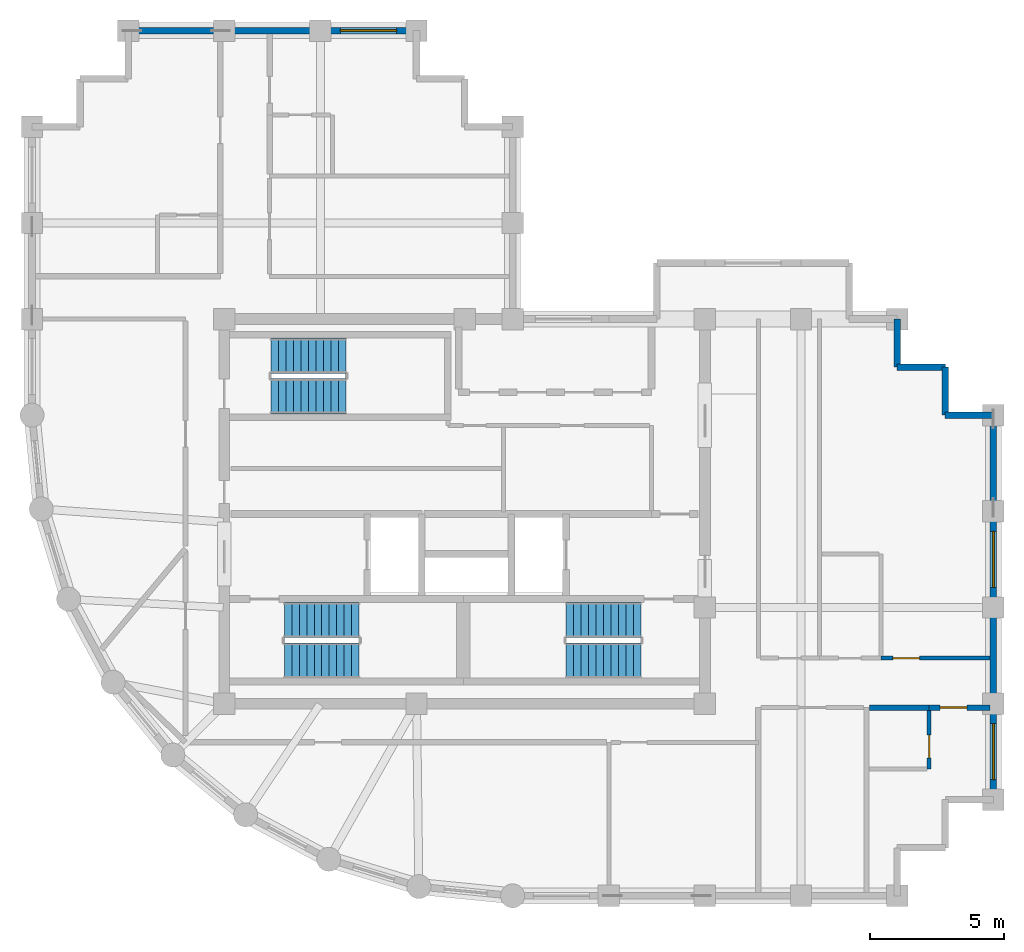
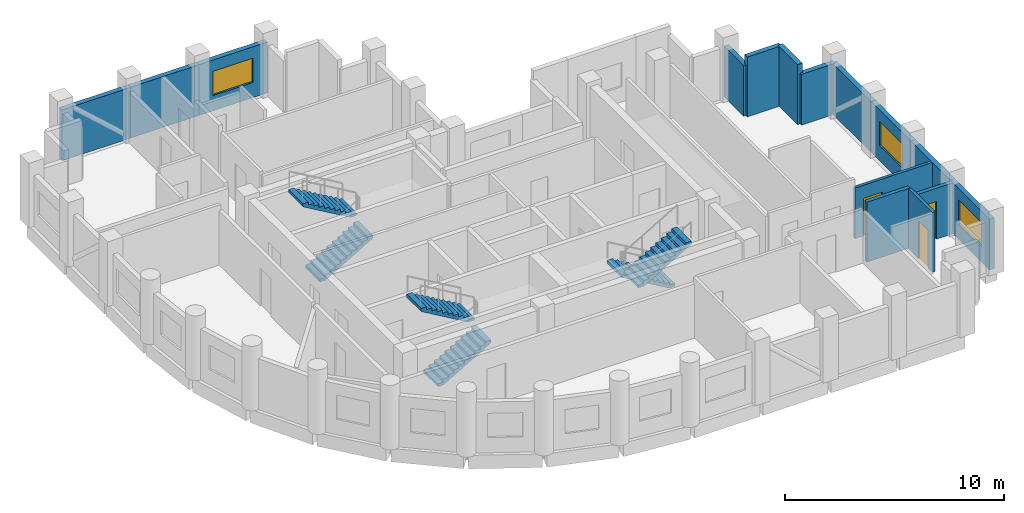
# One storey, part 5 of 6: 15 walls, 6 stair flights, 3 doors, 3 windows, 6 openings, 3 elements without a shape of their own.
"""IFC4 building model written with IfcOpenShell, lengths in metres."""

from ifc_helpers import new_model, si_unit, direction, frame, frame_2d, origin, place, context, subcontext, project, spatial, polyline, rectangle, outline, extrude, material, layer, layer_set, type_object, element, fill, aggregate, save


model = new_model("IFC4")

# Units and contexts
model_context = context("Model", 3, precision=1e-05, world=origin(), true_north=direction((0.0, 1.0)))
body_context = subcontext(model_context, "Body", "Model", "MODEL_VIEW")
ifc_project = project(units=[si_unit("LENGTHUNIT", "METRE"), si_unit("AREAUNIT", "SQUARE_METRE"), si_unit("VOLUMEUNIT", "CUBIC_METRE"), si_unit("PLANEANGLEUNIT", "RADIAN"), si_unit("MASSUNIT", "GRAM", prefix="KILO")], contexts=[model_context])

# Site, building, storey
site_placement = place(None, origin())
site = spatial("IfcSite", under=ifc_project, at=site_placement, CompositionType="ELEMENT")
building_placement = place(site_placement, origin())
building = spatial("IfcBuilding", under=site, at=building_placement, Name="Solnavia Interchange Tower", CompositionType="ELEMENT")
storey_placement = place(building_placement, frame((0.0, 0.0, 255.800048828125)))
storey = spatial("IfcBuildingStorey", under=building, at=storey_placement, Name="L64", CompositionType="ELEMENT", Elevation=255.800048828125)

# Wall
ifc_material_1 = material(Name="Gypsum Acoustic Twin-Stud & Mineral Wool", Category="gypsum")
ifc_layer_1 = layer(ifc_material_1, 0.199951171875)
ifc_layer_set_1 = layer_set([ifc_layer_1], Name="Gypsum Acoustic Twin-Stud & Mineral Wool")
wall_type_1 = type_object("IfcWallType", Name="Wall-ApartmentParty-200", PredefinedType="PARTITIONING", material=ifc_layer_set_1)
wall_1_placement = place(storey_placement, frame((38.553955078125, 10.64990234375, 0.0), z_axis=(0.0, 0.0, 1.0), x_axis=(1.0, 0.0, 0.0)))
element("IfcWall", 1, at=wall_1_placement, inside=storey, type_object=wall_type_1, Name="PTW-L64-18 Interior partition wall", PredefinedType="PARTITIONING", context=body_context, shape_type="SweptSolid", body=[
    extrude(rectangle(XDim=2.24609375, YDim=0.199951171875, at=frame_2d((1.123046875, 0.0))), origin(), (0.0, 0.0, 1.0), 3.3349609375),
])

# Wall, opening, door
wall_2_placement = place(storey_placement, frame((40.800048828125, 10.64990234375, 0.0), z_axis=(0.0, 0.0, 1.0), x_axis=(1.0, 0.0, 0.0)))
wall_2 = element("IfcWall", 2, at=wall_2_placement, inside=storey, type_object=wall_type_1, Name="PTW-L64-19 Interior partition wall", PredefinedType="PARTITIONING", context=body_context, shape_type="SweptSolid", body=[
    extrude(rectangle(XDim=2.27099609375, YDim=0.199951171875, at=frame_2d((1.135498046875, 0.0))), origin(), (0.0, 0.0, 1.0), 2.829833984375),
])
opening_1_placement = place(wall_2_placement, frame((0.412109375, 0.0, 0.0)))
opening_1 = element("IfcOpeningElement", 3, at=opening_1_placement, cuts=wall_2, Name="Opening DR-06", PredefinedType="OPENING", context=body_context, shape_type="SweptSolid", body=[
    extrude(rectangle(XDim=1.0, YDim=2.10009765625, at=frame_2d((0.5, 1.050048828125))), frame((0.0, 0.10986328125, 0.0), z_axis=(0.0, -1.0, 0.0), x_axis=(1.0, 0.0, 0.0)), (0.0, 0.0, 1.0), 0.219970703125),
])
ifc_material_2 = material(Name="Engineered Timber Acoustic Fire Door", Category="wood")
door_type_1 = type_object("IfcDoorType", Name="Door-FlatEntry-1000x2100", OperationType="SINGLE_SWING_LEFT", PredefinedType="DOOR", material=ifc_material_2)
door_1_placement = place(opening_1_placement, origin())
door_1 = element("IfcDoor", 4, at=door_1_placement, inside=storey, type_object=door_type_1, Name="DR-L64-08 Interior room door", OperationType="SINGLE_SWING_LEFT", OverallHeight=2.10009765625, OverallWidth=1.0, PredefinedType="DOOR", context=body_context, shape_type="SweptSolid", body=[
    extrude(rectangle(XDim=1.0, YDim=2.10009765625, at=frame_2d((0.5, 1.050048828125))), frame((0.0, 0.02490234375, 0.0), z_axis=(0.0, -1.0, 0.0), x_axis=(1.0, 0.0, 0.0)), (0.0, 0.0, 1.0), 0.050048828125),
])
fill(opening_1, door_1)

# Wall, opening, window
ifc_material_3 = material(Name="Concrete C40/50", Category="concrete")
ifc_layer_2 = layer(ifc_material_3, 0.25)
ifc_layer_set_2 = layer_set([ifc_layer_2], Name="Concrete C40/50")
wall_type_2 = type_object("IfcWallType", Name="Wall-ExtSpandrel-250", PredefinedType="STANDARD", material=ifc_layer_set_2)
wall_3_placement = place(storey_placement, frame((43.199951171875, 10.800048828125, 0.0), z_axis=(0.0, 0.0, 1.0), x_axis=(0.0, -1.0, 0.0)))
wall_3 = element("IfcWall", 5, at=wall_3_placement, inside=storey, type_object=wall_type_2, Name="EXW-L64-09 Exterior precast spandrel wall", PredefinedType="STANDARD", context=body_context, shape_type="SweptSolid", body=[
    extrude(rectangle(XDim=3.60009765625, YDim=0.25, at=frame_2d((1.800048828125, 0.0))), origin(), (0.0, 0.0, 1.0), 2.829833984375),
])
opening_2_placement = place(wall_3_placement, frame((0.75, 0.0, 0.85009765625)))
opening_2 = element("IfcOpeningElement", 6, at=opening_2_placement, cuts=wall_3, Name="Opening WIN-01", PredefinedType="OPENING", context=body_context, shape_type="SweptSolid", body=[
    extrude(rectangle(XDim=2.10009765625, YDim=1.35009765625, at=frame_2d((1.050048828125, 0.675048828125))), frame((0.0, 0.135009765625, 0.0), z_axis=(0.0, -1.0, 0.0), x_axis=(1.0, 0.0, 0.0)), (0.0, 0.0, 1.0), 0.27001953125),
])
ifc_material_4 = material(Name="Thermal-Break Aluminium & Low-E Glass", Category="aluminium")
window_type = type_object("IfcWindowType", Name="Window-Ribbon-2100x1350", PartitioningType="SINGLE_PANEL", PredefinedType="WINDOW", material=ifc_material_4)
window_1_placement = place(opening_2_placement, origin())
window_1 = element("IfcWindow", 7, at=window_1_placement, inside=storey, type_object=window_type, Name="WIN-L64-09 Facade ribbon window", OverallHeight=1.35009765625, OverallWidth=2.10009765625, PartitioningType="SINGLE_PANEL", PredefinedType="WINDOW", context=body_context, shape_type="SweptSolid", body=[
    extrude(rectangle(XDim=2.10009765625, YDim=1.35009765625, at=frame_2d((1.050048828125, 0.675048828125))), frame((0.0, 0.030029296875, 0.0), z_axis=(0.0, -1.0, 0.0), x_axis=(1.0, 0.0, 0.0)), (0.0, 0.0, 1.0), 0.06005859375),
])
fill(opening_2, window_1)

# Wall
wall_4_placement = place(storey_placement, frame((43.199951171875, 14.39990234375, 0.0), z_axis=(0.0, 0.0, 1.0), x_axis=(0.0, -1.0, 0.0)))
element("IfcWall", 8, at=wall_4_placement, inside=storey, type_object=wall_type_2, Name="EXW-L64-10 Exterior precast spandrel wall", PredefinedType="STANDARD", context=body_context, shape_type="SweptSolid", body=[
    extrude(rectangle(XDim=3.599853515625, YDim=0.25, at=frame_2d((1.7998046875, 0.0))), origin(), (0.0, 0.0, 1.0), 2.829833984375),
])

# Wall, opening, window
wall_5_placement = place(storey_placement, frame((43.199951171875, 18.0, 0.0), z_axis=(0.0, 0.0, 1.0), x_axis=(0.0, -1.0, 0.0)))
wall_5 = element("IfcWall", 9, at=wall_5_placement, inside=storey, type_object=wall_type_2, Name="EXW-L64-11 Exterior precast spandrel wall", PredefinedType="STANDARD", context=body_context, shape_type="SweptSolid", body=[
    extrude(rectangle(XDim=3.60009765625, YDim=0.25, at=frame_2d((1.800048828125, 0.0))), origin(), (0.0, 0.0, 1.0), 2.829833984375),
])
opening_3_placement = place(wall_5_placement, frame((0.75, 0.0, 0.85009765625)))
opening_3 = element("IfcOpeningElement", 10, at=opening_3_placement, cuts=wall_5, Name="Opening WIN-01", PredefinedType="OPENING", context=body_context, shape_type="SweptSolid", body=[
    extrude(rectangle(XDim=2.10009765625, YDim=1.35009765625, at=frame_2d((1.050048828125, 0.675048828125))), frame((0.0, 0.135009765625, 0.0), z_axis=(0.0, -1.0, 0.0), x_axis=(1.0, 0.0, 0.0)), (0.0, 0.0, 1.0), 0.27001953125),
])
window_2_placement = place(opening_3_placement, origin())
window_2 = element("IfcWindow", 11, at=window_2_placement, inside=storey, type_object=window_type, Name="WIN-L64-11 Facade ribbon window", OverallHeight=1.35009765625, OverallWidth=2.10009765625, PartitioningType="SINGLE_PANEL", PredefinedType="WINDOW", context=body_context, shape_type="SweptSolid", body=[
    extrude(rectangle(XDim=2.10009765625, YDim=1.35009765625, at=frame_2d((1.050048828125, 0.675048828125))), frame((0.0, 0.030029296875, 0.0), z_axis=(0.0, -1.0, 0.0), x_axis=(1.0, 0.0, 0.0)), (0.0, 0.0, 1.0), 0.06005859375),
])
fill(opening_3, window_2)

# Walls
wall_6_placement = place(storey_placement, frame((43.199951171875, 21.60009765625, 0.0), z_axis=(0.0, 0.0, 1.0), x_axis=(0.0, -1.0, 0.0)))
element("IfcWall", 12, at=wall_6_placement, inside=storey, type_object=wall_type_2, Name="EXW-L64-12 Exterior precast spandrel wall", PredefinedType="STANDARD", context=body_context, shape_type="SweptSolid", body=[
    extrude(rectangle(XDim=3.60009765625, YDim=0.25, at=frame_2d((1.800048828125, 0.0))), origin(), (0.0, 0.0, 1.0), 2.829833984375),
])
wall_7_placement = place(storey_placement, frame((41.39990234375, 21.60009765625, 0.0), z_axis=(0.0, 0.0, 1.0), x_axis=(1.0, 0.0, 0.0)))
element("IfcWall", 13, at=wall_7_placement, inside=storey, type_object=wall_type_2, Name="EXW-L64-13 Exterior precast spandrel wall", PredefinedType="STANDARD", context=body_context, shape_type="SweptSolid", body=[
    extrude(rectangle(XDim=1.800048828125, YDim=0.25, at=frame_2d((0.89990234375, 0.0))), origin(), (0.0, 0.0, 1.0), 2.829833984375),
])
for number, where, z_axis, x_axis, name in (
    (14, (41.39990234375, 23.39990234375, 0.0), (0.0, 0.0, 1.0), (0.0, -1.0, 0.0), "EXW-L64-14 Exterior precast spandrel wall"),
    (15, (39.60009765625, 23.39990234375, 0.0), (0.0, 0.0, 1.0), (1.0, 0.0, 0.0), "EXW-L64-15 Exterior precast spandrel wall"),
):
    element("IfcWall", number, at=place(storey_placement, frame(where, z_axis=z_axis, x_axis=x_axis)), inside=storey, type_object=wall_type_2, Name=name, PredefinedType="STANDARD", context=body_context, shape_type="SweptSolid", body=[
        extrude(rectangle(XDim=1.7998046875, YDim=0.25, at=frame_2d((0.89990234375, 0.0))), origin(), (0.0, 0.0, 1.0), 3.3349609375),
    ])
wall_8_placement = place(storey_placement, frame((39.60009765625, 25.199951171875, 0.0), z_axis=(0.0, 0.0, 1.0), x_axis=(0.0, -1.0, 0.0)))
element("IfcWall", 16, at=wall_8_placement, inside=storey, type_object=wall_type_2, Name="EXW-L64-16 Exterior precast spandrel wall", PredefinedType="STANDARD", context=body_context, shape_type="SweptSolid", body=[
    extrude(rectangle(XDim=1.800048828125, YDim=0.25, at=frame_2d((0.89990234375, 0.0))), origin(), (0.0, 0.0, 1.0), 2.829833984375),
])

# Wall, opening, window
wall_9_placement = place(storey_placement, frame((18.0, 36.0, 0.0), z_axis=(0.0, 0.0, 1.0), x_axis=(1.0, 0.0, 0.0)))
wall_9 = element("IfcWall", 17, at=wall_9_placement, inside=storey, type_object=wall_type_2, Name="EXW-L64-31 Exterior precast spandrel wall", PredefinedType="STANDARD", context=body_context, shape_type="SweptSolid", body=[
    extrude(rectangle(XDim=3.60009765625, YDim=0.25, at=frame_2d((1.800048828125, 0.0))), origin(), (0.0, 0.0, 1.0), 2.829833984375),
])
opening_4_placement = place(wall_9_placement, frame((0.75, 0.0, 0.85009765625)))
opening_4 = element("IfcOpeningElement", 18, at=opening_4_placement, cuts=wall_9, Name="Opening WIN-01", PredefinedType="OPENING", context=body_context, shape_type="SweptSolid", body=[
    extrude(rectangle(XDim=2.10009765625, YDim=1.35009765625, at=frame_2d((1.050048828125, 0.675048828125))), frame((0.0, 0.135009765625, 0.0), z_axis=(0.0, -1.0, 0.0), x_axis=(1.0, 0.0, 0.0)), (0.0, 0.0, 1.0), 0.27001953125),
])
window_3_placement = place(opening_4_placement, origin())
window_3 = element("IfcWindow", 19, at=window_3_placement, inside=storey, type_object=window_type, Name="WIN-L64-31 Facade ribbon window", OverallHeight=1.35009765625, OverallWidth=2.10009765625, PartitioningType="SINGLE_PANEL", PredefinedType="WINDOW", context=body_context, shape_type="SweptSolid", body=[
    extrude(rectangle(XDim=2.10009765625, YDim=1.35009765625, at=frame_2d((1.050048828125, 0.675048828125))), frame((0.0, 0.030029296875, 0.0), z_axis=(0.0, -1.0, 0.0), x_axis=(1.0, 0.0, 0.0)), (0.0, 0.0, 1.0), 0.06005859375),
])
fill(opening_4, window_3)

# Walls
wall_10_placement = place(storey_placement, frame((14.39990234375, 36.0, 0.0), z_axis=(0.0, 0.0, 1.0), x_axis=(1.0, 0.0, 0.0)))
element("IfcWall", 20, at=wall_10_placement, inside=storey, type_object=wall_type_2, Name="EXW-L64-32 Exterior precast spandrel wall", PredefinedType="STANDARD", context=body_context, shape_type="SweptSolid", body=[
    extrude(rectangle(XDim=3.60009765625, YDim=0.25, at=frame_2d((1.800048828125, 0.0))), origin(), (0.0, 0.0, 1.0), 2.829833984375),
])
wall_11_placement = place(storey_placement, frame((10.800048828125, 36.0, 0.0), z_axis=(0.0, 0.0, 1.0), x_axis=(1.0, 0.0, 0.0)))
element("IfcWall", 21, at=wall_11_placement, inside=storey, type_object=wall_type_2, Name="EXW-L64-33 Exterior precast spandrel wall", PredefinedType="STANDARD", context=body_context, shape_type="SweptSolid", body=[
    extrude(rectangle(XDim=3.599853515625, YDim=0.25, at=frame_2d((1.7998046875, 0.0))), origin(), (0.0, 0.0, 1.0), 2.829833984375),
])

# Wall, opening, door
ifc_material_5 = material(Name="Gypsum Plasterboard & Steel Stud", Category="steel")
ifc_layer_3 = layer(ifc_material_5, 0.14990234375)
ifc_layer_set_3 = layer_set([ifc_layer_3], Name="Gypsum Plasterboard & Steel Stud")
wall_type_3 = type_object("IfcWallType", Name="Wall-Partition-150", PredefinedType="PARTITIONING", material=ifc_layer_set_3)
wall_12_placement = place(storey_placement, frame((39.0, 12.5, 0.0), z_axis=(0.0, 0.0, 1.0), x_axis=(1.0, 0.0, 0.0)))
wall_12 = element("IfcWall", 22, at=wall_12_placement, inside=storey, type_object=wall_type_3, Name="PTW-L64-22 Interior partition wall", PredefinedType="PARTITIONING", context=body_context, shape_type="SweptSolid", body=[
    extrude(rectangle(XDim=4.071044921875, YDim=0.14990234375, at=frame_2d((2.03564453125, 0.0))), origin(), (0.0, 0.0, 1.0), 2.829833984375),
])
opening_5_placement = place(wall_12_placement, frame((0.43798828125, 0.0, 0.0)))
opening_5 = element("IfcOpeningElement", 23, at=opening_5_placement, cuts=wall_12, Name="Opening DR-07", PredefinedType="OPENING", context=body_context, shape_type="SweptSolid", body=[
    extrude(rectangle(XDim=1.0, YDim=2.10009765625, at=frame_2d((0.5, 1.050048828125))), frame((0.0, 0.0849609375, 0.0), z_axis=(0.0, -1.0, 0.0), x_axis=(1.0, 0.0, 0.0)), (0.0, 0.0, 1.0), 0.169921875),
])
ifc_material_6 = material(Name="Timber & Acoustic Glazed Office Door", Category="wood")
door_type_2 = type_object("IfcDoorType", Name="Door-Office-1000x2100", OperationType="SINGLE_SWING_RIGHT", PredefinedType="DOOR", material=ifc_material_6)
door_2_placement = place(opening_5_placement, origin())
door_2 = element("IfcDoor", 24, at=door_2_placement, inside=storey, type_object=door_type_2, Name="DR-L64-10 Interior room door", OperationType="SINGLE_SWING_RIGHT", OverallHeight=2.10009765625, OverallWidth=1.0, PredefinedType="DOOR", context=body_context, shape_type="SweptSolid", body=[
    extrude(rectangle(XDim=1.0, YDim=2.10009765625, at=frame_2d((0.5, 1.050048828125))), frame((0.0, 0.02490234375, 0.0), z_axis=(0.0, -1.0, 0.0), x_axis=(1.0, 0.0, 0.0)), (0.0, 0.0, 1.0), 0.050048828125),
])
fill(opening_5, door_2)

ifc_material_7 = material(Name="Moisture-Resistant Gypsum & Steel Stud", Category="steel")
ifc_layer_4 = layer(ifc_material_7, 0.14990234375)
ifc_layer_set_4 = layer_set([ifc_layer_4], Name="Moisture-Resistant Gypsum & Steel Stud")
wall_type_4 = type_object("IfcWallType", Name="Wall-WetRoom-150", PredefinedType="PARTITIONING", material=ifc_layer_set_4)
wall_13_placement = place(storey_placement, frame((40.800048828125, 8.35009765625, 0.0), z_axis=(0.0, 0.0, 1.0), x_axis=(0.0, 1.0, 0.0)))
wall_13 = element("IfcWall", 25, at=wall_13_placement, inside=storey, type_object=wall_type_4, Name="PTW-L64-20 Interior partition wall", PredefinedType="PARTITIONING", context=body_context, shape_type="SweptSolid", body=[
    extrude(rectangle(XDim=2.19580078125, YDim=0.14990234375, at=frame_2d((1.097900390625, 0.0))), origin(), (0.0, 0.0, 1.0), 3.3349609375),
])
opening_6_placement = place(wall_13_placement, frame((0.416015625, 0.0, 0.0)))
opening_6 = element("IfcOpeningElement", 26, at=opening_6_placement, cuts=wall_13, Name="Opening DR-10", PredefinedType="OPENING", context=body_context, shape_type="SweptSolid", body=[
    extrude(rectangle(XDim=0.85009765625, YDim=2.10009765625, at=frame_2d((0.425048828125, 1.050048828125))), frame((0.0, 0.0849609375, 0.0), z_axis=(0.0, -1.0, 0.0), x_axis=(1.0, 0.0, 0.0)), (0.0, 0.0, 1.0), 0.169921875),
])
ifc_material_8 = material(Name="Moisture-Resistant Timber Door", Category="wood")
door_type_3 = type_object("IfcDoorType", Name="Door-Bathroom-850x2100", OperationType="SINGLE_SWING_RIGHT", PredefinedType="DOOR", material=ifc_material_8)
door_3_placement = place(opening_6_placement, origin())
door_3 = element("IfcDoor", 27, at=door_3_placement, inside=storey, type_object=door_type_3, Name="DR-L64-09 Interior room door", OperationType="SINGLE_SWING_RIGHT", OverallHeight=2.10009765625, OverallWidth=0.85009765625, PredefinedType="DOOR", context=body_context, shape_type="SweptSolid", body=[
    extrude(rectangle(XDim=0.85009765625, YDim=2.10009765625, at=frame_2d((0.425048828125, 1.050048828125))), frame((0.0, 0.02490234375, 0.0), z_axis=(0.0, -1.0, 0.0), x_axis=(1.0, 0.0, 0.0)), (0.0, 0.0, 1.0), 0.050048828125),
])
fill(opening_6, door_3)

# Stair, stair flights
stair_type = type_object("IfcStairType", Name="Stair-Dogleg-RC", PredefinedType="HALF_TURN_STAIR", material=ifc_material_3)
stair_1_placement = place(storey_placement, origin())
stair_1 = element("IfcStair", 28, at=stair_1_placement, inside=storey, type_object=stair_type, Name="L64 Core exit stair 1", PredefinedType="HALF_TURN_STAIR")
stair_flight_type = type_object("IfcStairFlightType", Name="StairFlight-RC-150", PredefinedType="STRAIGHT", material=ifc_material_3)
stair_flight_1_placement = place(storey_placement, frame((16.64990234375, 12.409912109375, 0.0), z_axis=(0.0, 0.0, 1.0), x_axis=(1.0, 0.0, 0.0)))
stair_flight_1 = element("IfcStairFlight", 29, at=stair_flight_1_placement, type_object=stair_flight_type, Name="ST-1 flight 1", NumberOfRisers=11, NumberOfTreads=10, PredefinedType="STRAIGHT", RiserHeight=0.163636364, TreadLength=0.28, context=body_context, shape_type="SweptSolid", body=[
    extrude(outline(polyline([(0.0, 0.0), (0.0, 0.16357421875), (0.280029296875, 0.16357421875), (0.280029296875, 0.327392578125), (0.56005859375, 0.327392578125), (0.56005859375, 0.490966796875), (0.840087890625, 0.490966796875), (0.840087890625, 0.654541015625), (1.1201171875, 0.654541015625), (1.1201171875, 0.818115234375), (1.39990234375, 0.818115234375), (1.39990234375, 0.98193359375), (1.679931640625, 0.98193359375), (1.679931640625, 1.1455078125), (1.9599609375, 1.1455078125), (1.9599609375, 1.30908203125), (2.239990234375, 1.30908203125), (2.239990234375, 1.47265625), (2.52001953125, 1.47265625), (2.52001953125, 1.636474609375), (2.800048828125, 1.636474609375), (2.800048828125, 1.800048828125), (2.800048828125, 1.462646484375), (0.297119140625, 0.0), (0.0, 0.0)])), frame((0.0, 0.66015625, 0.0), z_axis=(0.0, -1.0, 0.0), x_axis=(1.0, 0.0, 0.0)), (0.0, 0.0, 1.0), 1.320068359375),
])
stair_flight_2_placement = place(storey_placement, frame((19.449951171875, 13.929931640625, 1.800048828125), z_axis=(0.0, 0.0, 1.0), x_axis=(-1.0, 0.0, 0.0)))
stair_flight_2 = element("IfcStairFlight", 30, at=stair_flight_2_placement, type_object=stair_flight_type, Name="ST-1 flight 2", NumberOfRisers=11, NumberOfTreads=10, PredefinedType="STRAIGHT", RiserHeight=0.163636364, TreadLength=0.28, context=body_context, shape_type="SweptSolid", body=[
    extrude(outline(polyline([(0.0, 0.0), (0.0, 0.16357421875), (0.280029296875, 0.16357421875), (0.280029296875, 0.327392578125), (0.56005859375, 0.327392578125), (0.56005859375, 0.490966796875), (0.840087890625, 0.490966796875), (0.840087890625, 0.654541015625), (1.1201171875, 0.654541015625), (1.1201171875, 0.818115234375), (1.39990234375, 0.818115234375), (1.39990234375, 0.98193359375), (1.679931640625, 0.98193359375), (1.679931640625, 1.1455078125), (1.9599609375, 1.1455078125), (1.9599609375, 1.30908203125), (2.239990234375, 1.30908203125), (2.239990234375, 1.47265625), (2.52001953125, 1.47265625), (2.52001953125, 1.636474609375), (2.800048828125, 1.636474609375), (2.800048828125, 1.800048828125), (2.800048828125, 1.462646484375), (0.297119140625, 0.0), (0.0, 0.0)])), frame((0.0, 0.66015625, 0.0), z_axis=(0.0, -1.0, 0.0), x_axis=(1.0, 0.0, 0.0)), (0.0, 0.0, 1.0), 1.320068359375),
])
aggregate(stair_1, [stair_flight_1, stair_flight_2])

stair_2_placement = place(storey_placement, origin())
stair_2 = element("IfcStair", 31, at=stair_2_placement, inside=storey, type_object=stair_type, Name="L64 Core exit stair 2", PredefinedType="HALF_TURN_STAIR")
stair_flight_3_placement = place(storey_placement, frame((30.0, 13.929931640625, 0.0), z_axis=(0.0, 0.0, 1.0), x_axis=(-1.0, 0.0, 0.0)))
stair_flight_3 = element("IfcStairFlight", 32, at=stair_flight_3_placement, type_object=stair_flight_type, Name="ST-2 flight 1", NumberOfRisers=11, NumberOfTreads=10, PredefinedType="STRAIGHT", RiserHeight=0.163636364, TreadLength=0.28, context=body_context, shape_type="SweptSolid", body=[
    extrude(outline(polyline([(0.0, 0.0), (0.0, 0.16357421875), (0.280029296875, 0.16357421875), (0.280029296875, 0.327392578125), (0.56005859375, 0.327392578125), (0.56005859375, 0.490966796875), (0.840087890625, 0.490966796875), (0.840087890625, 0.654541015625), (1.1201171875, 0.654541015625), (1.1201171875, 0.818115234375), (1.39990234375, 0.818115234375), (1.39990234375, 0.98193359375), (1.679931640625, 0.98193359375), (1.679931640625, 1.1455078125), (1.9599609375, 1.1455078125), (1.9599609375, 1.30908203125), (2.239990234375, 1.30908203125), (2.239990234375, 1.47265625), (2.52001953125, 1.47265625), (2.52001953125, 1.636474609375), (2.800048828125, 1.636474609375), (2.800048828125, 1.800048828125), (2.800048828125, 1.462646484375), (0.297119140625, 0.0), (0.0, 0.0)])), frame((0.0, 0.66015625, 0.0), z_axis=(0.0, -1.0, 0.0), x_axis=(1.0, 0.0, 0.0)), (0.0, 0.0, 1.0), 1.320068359375),
])
stair_flight_4_placement = place(storey_placement, frame((27.199951171875, 12.409912109375, 1.800048828125), z_axis=(0.0, 0.0, 1.0), x_axis=(1.0, 0.0, 0.0)))
stair_flight_4 = element("IfcStairFlight", 33, at=stair_flight_4_placement, type_object=stair_flight_type, Name="ST-2 flight 2", NumberOfRisers=11, NumberOfTreads=10, PredefinedType="STRAIGHT", RiserHeight=0.163636364, TreadLength=0.28, context=body_context, shape_type="SweptSolid", body=[
    extrude(outline(polyline([(0.0, 0.0), (0.0, 0.16357421875), (0.280029296875, 0.16357421875), (0.280029296875, 0.327392578125), (0.56005859375, 0.327392578125), (0.56005859375, 0.490966796875), (0.840087890625, 0.490966796875), (0.840087890625, 0.654541015625), (1.1201171875, 0.654541015625), (1.1201171875, 0.818115234375), (1.39990234375, 0.818115234375), (1.39990234375, 0.98193359375), (1.679931640625, 0.98193359375), (1.679931640625, 1.1455078125), (1.9599609375, 1.1455078125), (1.9599609375, 1.30908203125), (2.239990234375, 1.30908203125), (2.239990234375, 1.47265625), (2.52001953125, 1.47265625), (2.52001953125, 1.636474609375), (2.800048828125, 1.636474609375), (2.800048828125, 1.800048828125), (2.800048828125, 1.462646484375), (0.297119140625, 0.0), (0.0, 0.0)])), frame((0.0, 0.66015625, 0.0), z_axis=(0.0, -1.0, 0.0), x_axis=(1.0, 0.0, 0.0)), (0.0, 0.0, 1.0), 1.320068359375),
])
aggregate(stair_2, [stair_flight_3, stair_flight_4])

stair_3_placement = place(storey_placement, origin())
stair_3 = element("IfcStair", 34, at=stair_3_placement, inside=storey, type_object=stair_type, Name="L64 Core exit stair 3", PredefinedType="HALF_TURN_STAIR")
stair_flight_5_placement = place(storey_placement, frame((16.14990234375, 22.31005859375, 0.0), z_axis=(0.0, 0.0, 1.0), x_axis=(1.0, 0.0, 0.0)))
stair_flight_5 = element("IfcStairFlight", 35, at=stair_flight_5_placement, type_object=stair_flight_type, Name="ST-3 flight 1", NumberOfRisers=11, NumberOfTreads=10, PredefinedType="STRAIGHT", RiserHeight=0.163636364, TreadLength=0.28, context=body_context, shape_type="SweptSolid", body=[
    extrude(outline(polyline([(0.0, 0.0), (0.0, 0.16357421875), (0.280029296875, 0.16357421875), (0.280029296875, 0.327392578125), (0.56005859375, 0.327392578125), (0.56005859375, 0.490966796875), (0.840087890625, 0.490966796875), (0.840087890625, 0.654541015625), (1.1201171875, 0.654541015625), (1.1201171875, 0.818115234375), (1.39990234375, 0.818115234375), (1.39990234375, 0.98193359375), (1.679931640625, 0.98193359375), (1.679931640625, 1.1455078125), (1.9599609375, 1.1455078125), (1.9599609375, 1.30908203125), (2.239990234375, 1.30908203125), (2.239990234375, 1.47265625), (2.52001953125, 1.47265625), (2.52001953125, 1.636474609375), (2.800048828125, 1.636474609375), (2.800048828125, 1.800048828125), (2.800048828125, 1.462646484375), (0.297119140625, 0.0), (0.0, 0.0)])), frame((0.0, 0.66015625, 0.0), z_axis=(0.0, -1.0, 0.0), x_axis=(1.0, 0.0, 0.0)), (0.0, 0.0, 1.0), 1.320068359375),
])
stair_flight_6_placement = place(storey_placement, frame((18.949951171875, 23.830078125, 1.800048828125), z_axis=(0.0, 0.0, 1.0), x_axis=(-1.0, 0.0, 0.0)))
stair_flight_6 = element("IfcStairFlight", 36, at=stair_flight_6_placement, type_object=stair_flight_type, Name="ST-3 flight 2", NumberOfRisers=11, NumberOfTreads=10, PredefinedType="STRAIGHT", RiserHeight=0.163636364, TreadLength=0.28, context=body_context, shape_type="SweptSolid", body=[
    extrude(outline(polyline([(0.0, 0.0), (0.0, 0.16357421875), (0.280029296875, 0.16357421875), (0.280029296875, 0.327392578125), (0.56005859375, 0.327392578125), (0.56005859375, 0.490966796875), (0.840087890625, 0.490966796875), (0.840087890625, 0.654541015625), (1.1201171875, 0.654541015625), (1.1201171875, 0.818115234375), (1.39990234375, 0.818115234375), (1.39990234375, 0.98193359375), (1.679931640625, 0.98193359375), (1.679931640625, 1.1455078125), (1.9599609375, 1.1455078125), (1.9599609375, 1.30908203125), (2.239990234375, 1.30908203125), (2.239990234375, 1.47265625), (2.52001953125, 1.47265625), (2.52001953125, 1.636474609375), (2.800048828125, 1.636474609375), (2.800048828125, 1.800048828125), (2.800048828125, 1.462646484375), (0.297119140625, 0.0), (0.0, 0.0)])), frame((0.0, 0.66015625, 0.0), z_axis=(0.0, -1.0, 0.0), x_axis=(1.0, 0.0, 0.0)), (0.0, 0.0, 1.0), 1.320068359375),
])
aggregate(stair_3, [stair_flight_5, stair_flight_6])

save(model, "model.ifc")
